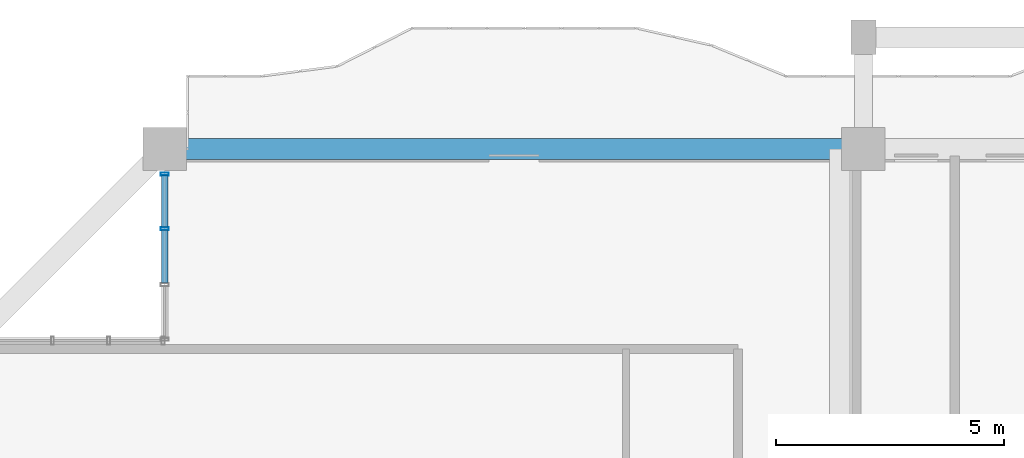
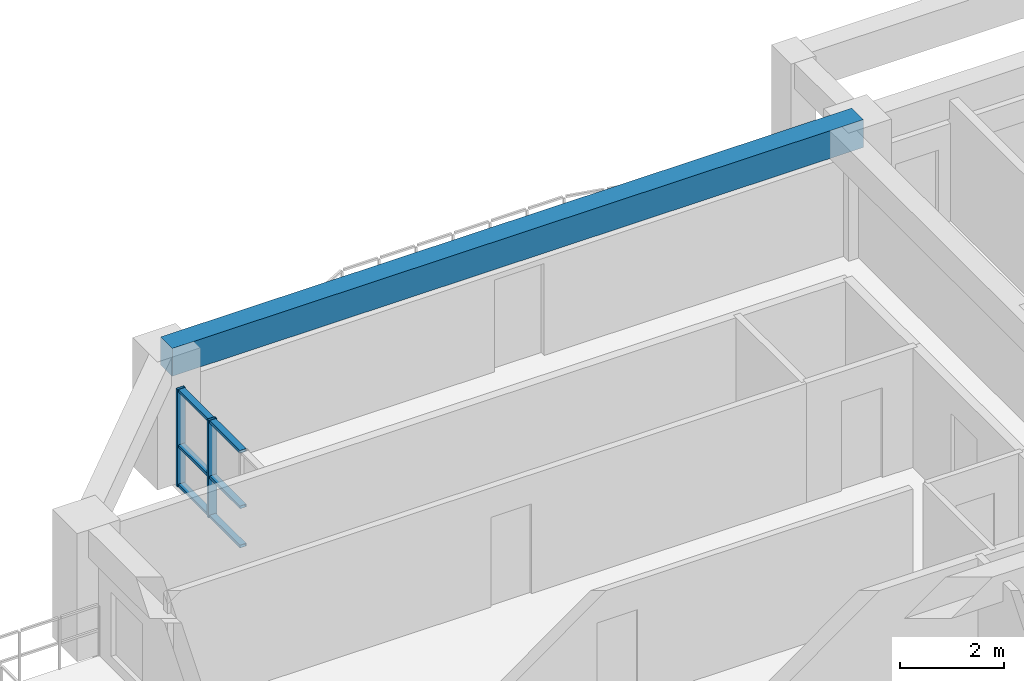
# One storey, part 8 of 25: 8 members, 1 beam, 1 element without a shape of its own.
"""IFC4 building model written with IfcOpenShell, lengths in metres."""

from ifc_helpers import new_model, si_unit, direction, frame, origin, origin_2d, place, context, subcontext, project, spatial, rectangle, hollow_rectangle, extrude, source, transform, mapped, material, layer, layer_set, material_profile, profile_set, type_object, element, aggregate, save


model = new_model("IFC4")

# Units and contexts
model_context = context("Model", 3, precision=1e-05, world=origin(), true_north=direction((0.0, 1.0)))
body_context = subcontext(model_context, "Body", "Model", "MODEL_VIEW")
ifc_project = project(units=[si_unit("LENGTHUNIT", "METRE"), si_unit("AREAUNIT", "SQUARE_METRE"), si_unit("VOLUMEUNIT", "CUBIC_METRE"), si_unit("PLANEANGLEUNIT", "RADIAN"), si_unit("MASSUNIT", "GRAM", prefix="KILO")], contexts=[model_context])

# Site, building, storey
site_placement = place(None, origin())
site = spatial("IfcSite", under=ifc_project, at=site_placement, CompositionType="ELEMENT")
building_placement = place(site_placement, origin())
building = spatial("IfcBuilding", under=site, at=building_placement, Name="Saelheon Loggia Tower", CompositionType="ELEMENT")
storey_placement = place(building_placement, frame((0.0, 0.0, 107.85009765625)))
storey = spatial("IfcBuildingStorey", under=building, at=storey_placement, Name="L34", CompositionType="ELEMENT", Elevation=107.85009765625)

# Beam
ifc_material_1 = material(Name="Concrete C40/50", Category="concrete")
ifc_material_profile_1 = material_profile(ifc_material_1, rectangle(XDim=0.449951171875, YDim=0.64990234375, at=origin_2d()), Name="RC-450x650")
ifc_profile_set_1 = profile_set([ifc_material_profile_1], Name="Concrete C40/50")
beam_type = type_object("IfcBeamType", Name="Beam_PerimTower_RC450x650", PredefinedType="BEAM", material=ifc_profile_set_1)
shared_shape_1 = source(origin(), body_context, "Body", "SweptSolid", [
    extrude(rectangle(XDim=0.449951171875, YDim=0.64990234375, at=origin_2d()), origin(), (0.0, 0.0, 1.0), 15.300048828125),
])
beam_placement = place(storey_placement, frame((31.5, 51.0, 2.6748046875), z_axis=(-1.0, 0.0, 0.0), x_axis=(0.0, -1.0, 0.0)))
element("IfcBeam", 1, at=beam_placement, inside=storey, type_object=beam_type, Name="L34 Perimeter Frame Girder 11", PredefinedType="BEAM", context=body_context, shape_type="MappedRepresentation", body=[
    mapped(shared_shape_1, transform((0.0, 0.0, 0.0), scale=1.0)),
])

# Curtain wall, members
ifc_material_2 = material(Name="Thermal-Break Aluminium and Triple Low-E Glass", Category="aluminium")
ifc_layer = layer(ifc_material_2, 0.159912109375)
ifc_layer_set = layer_set([ifc_layer], Name="Thermal-Break Aluminium and Triple Low-E Glass")
curtain_wall_type = type_object("IfcCurtainWallType", Name="CW_TowerLoggiaLow", PredefinedType="NOTDEFINED", material=ifc_layer_set)
curtain_wall_placement = place(storey_placement, origin())
curtain_wall = element("IfcCurtainWall", 2, at=curtain_wall_placement, inside=storey, type_object=curtain_wall_type, Name="L34 Corner Notch Glazing NW1", PredefinedType="NOTDEFINED")
ifc_material_3 = material(Name="Anodised Aluminium 6063-T6", Category="aluminium")
ifc_material_profile_2 = material_profile(ifc_material_3, hollow_rectangle(XDim=0.06494140625, YDim=0.179931640625, WallThickness=0.00390625, at=origin_2d()), Name="RHS-180x65x4")
ifc_profile_set_2 = profile_set([ifc_material_profile_2], Name="Anodised Aluminium 6063-T6")
member_type_1 = type_object("IfcMemberType", Name="CW_TowerLoggiaLow_Mullion", PredefinedType="MULLION", material=ifc_profile_set_2)
shared_shape_2 = source(origin(), body_context, "Body", "SweptSolid", [
    extrude(hollow_rectangle(XDim=0.06494140625, YDim=0.179931640625, WallThickness=0.00390625, at=origin_2d()), origin(), (0.0, 0.0, 1.0), 2.27978515625),
])
member_1_placement = place(storey_placement, frame((16.199951171875, 49.256591796875, 0.0), z_axis=(0.0, 0.0, 1.0), x_axis=(0.0, 1.0, 0.0)))
member_1 = element("IfcMember", 3, at=member_1_placement, type_object=member_type_1, Name="CW3 mullion 3", PredefinedType="MULLION", context=body_context, shape_type="MappedRepresentation", body=[
    mapped(shared_shape_2, transform((0.0, 0.0, 0.0), scale=1.0)),
])
member_2_placement = place(storey_placement, frame((16.199951171875, 50.452392578125, 0.0), z_axis=(0.0, 0.0, 1.0), x_axis=(0.0, 1.0, 0.0)))
member_2 = element("IfcMember", 4, at=member_2_placement, type_object=member_type_1, Name="CW3 mullion 4", PredefinedType="MULLION", context=body_context, shape_type="MappedRepresentation", body=[
    mapped(shared_shape_2, transform((0.0, 0.0, 0.0), scale=1.0)),
])
ifc_material_profile_3 = material_profile(ifc_material_3, hollow_rectangle(XDim=0.06494140625, YDim=0.139892578125, WallThickness=0.00390625, at=origin_2d()), Name="RHS-140x65x4")
ifc_profile_set_3 = profile_set([ifc_material_profile_3], Name="Anodised Aluminium 6063-T6")
member_type_2 = type_object("IfcMemberType", Name="CW_TowerLoggiaLow_Transom", PredefinedType="USERDEFINED", material=ifc_profile_set_3)
shared_shape_3 = source(origin(), body_context, "Body", "SweptSolid", [
    extrude(hollow_rectangle(XDim=0.06494140625, YDim=0.139892578125, WallThickness=0.00390625, at=origin_2d()), origin(), (0.0, 0.0, 1.0), 1.130859375),
])
member_3_placement = place(storey_placement, frame((16.199951171875, 49.2890625, 0.032470703125), z_axis=(0.0, 1.0, 0.0), x_axis=(0.0, 0.0, 1.0)))
member_3 = element("IfcMember", 5, at=member_3_placement, type_object=member_type_2, Name="CW3 transom 3.1", ObjectType="TRANSOM", PredefinedType="USERDEFINED", context=body_context, shape_type="MappedRepresentation", body=[
    mapped(shared_shape_3, transform((0.0, 0.0, 0.0), scale=1.0)),
])
member_4_placement = place(storey_placement, frame((16.199951171875, 49.2890625, 0.949951171875), z_axis=(0.0, 1.0, 0.0), x_axis=(0.0, 0.0, 1.0)))
member_4 = element("IfcMember", 6, at=member_4_placement, type_object=member_type_2, Name="CW3 transom 3.2", ObjectType="TRANSOM", PredefinedType="USERDEFINED", context=body_context, shape_type="MappedRepresentation", body=[
    mapped(shared_shape_3, transform((0.0, 0.0, 0.0), scale=1.0)),
])
member_5_placement = place(storey_placement, frame((16.199951171875, 49.2890625, 2.247314453125), z_axis=(0.0, 1.0, 0.0), x_axis=(0.0, 0.0, 1.0)))
member_5 = element("IfcMember", 7, at=member_5_placement, type_object=member_type_2, Name="CW3 transom 3.3", ObjectType="TRANSOM", PredefinedType="USERDEFINED", context=body_context, shape_type="MappedRepresentation", body=[
    mapped(shared_shape_3, transform((0.0, 0.0, 0.0), scale=1.0)),
])
shared_shape_4 = source(origin(), body_context, "Body", "SweptSolid", [
    extrude(hollow_rectangle(XDim=0.06494140625, YDim=0.139892578125, WallThickness=0.00390625, at=origin_2d()), origin(), (0.0, 0.0, 1.0), 1.163330078125),
])
member_6_placement = place(storey_placement, frame((16.199951171875, 48.060791015625, 0.032470703125), z_axis=(0.0, 1.0, 0.0), x_axis=(0.0, 0.0, 1.0)))
member_6 = element("IfcMember", 8, at=member_6_placement, type_object=member_type_2, Name="CW3 transom 2.1", ObjectType="TRANSOM", PredefinedType="USERDEFINED", context=body_context, shape_type="MappedRepresentation", body=[
    mapped(shared_shape_4, transform((0.0, 0.0, 0.0), scale=1.0)),
])
member_7_placement = place(storey_placement, frame((16.199951171875, 48.060791015625, 0.949951171875), z_axis=(0.0, 1.0, 0.0), x_axis=(0.0, 0.0, 1.0)))
member_7 = element("IfcMember", 9, at=member_7_placement, type_object=member_type_2, Name="CW3 transom 2.2", ObjectType="TRANSOM", PredefinedType="USERDEFINED", context=body_context, shape_type="MappedRepresentation", body=[
    mapped(shared_shape_4, transform((0.0, 0.0, 0.0), scale=1.0)),
])
member_8_placement = place(storey_placement, frame((16.199951171875, 48.060791015625, 2.247314453125), z_axis=(0.0, 1.0, 0.0), x_axis=(0.0, 0.0, 1.0)))
member_8 = element("IfcMember", 10, at=member_8_placement, type_object=member_type_2, Name="CW3 transom 2.3", ObjectType="TRANSOM", PredefinedType="USERDEFINED", context=body_context, shape_type="MappedRepresentation", body=[
    mapped(shared_shape_4, transform((0.0, 0.0, 0.0), scale=1.0)),
])
aggregate(curtain_wall, [member_1, member_2, member_6, member_7, member_8, member_3, member_4, member_5])

save(model, "model.ifc")
